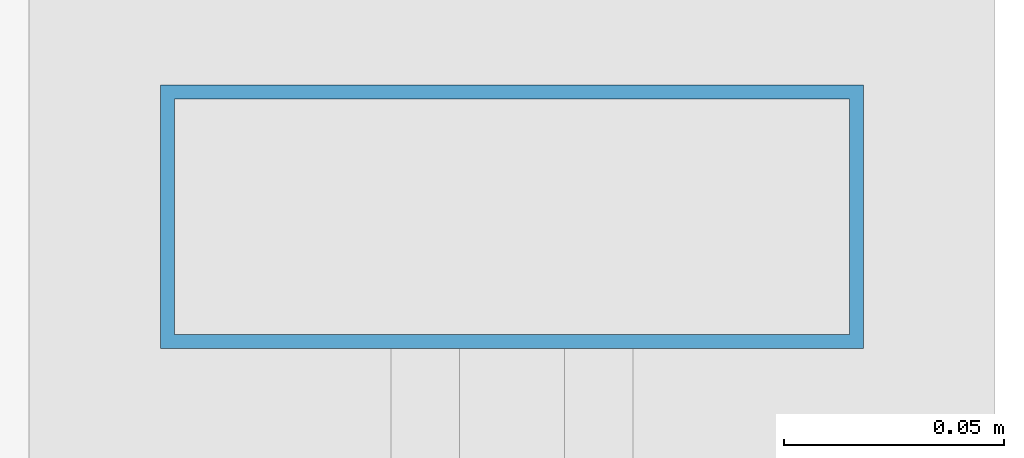
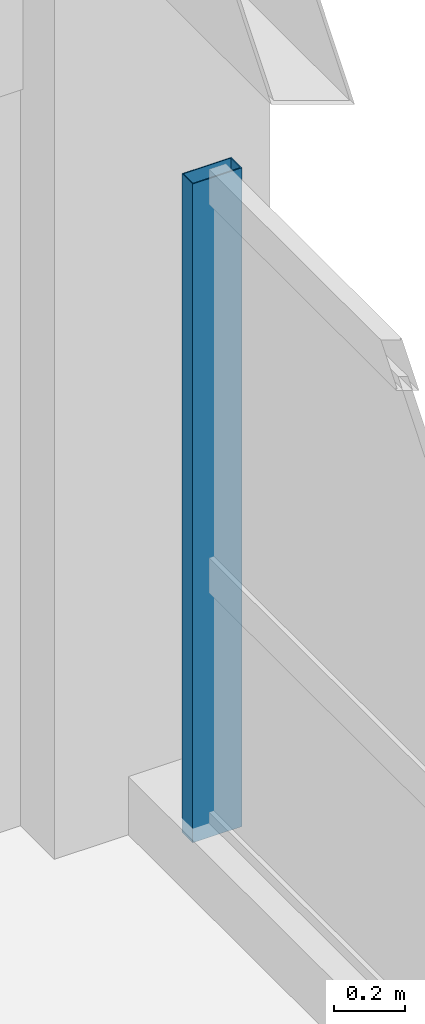
# One storey, part 17 of 22: 1 member, 1 element without a shape of its own.
"""IFC4 building model written with IfcOpenShell, lengths in metres."""

import ifcopenshell
import ifcopenshell.guid

model = None  # the IFC model being written
_history = None  # IfcOwnerHistory: only IFC2X3 demands one
_inside = {}  # id of a spatial element -> (the spatial element, [elements in it])
_under = {}  # id of a project, library or spatial element -> (it, [spatial elements below it])
_declared = {}  # id of a project -> (the project, [libraries it declares])
_typed = {}  # id of a type object -> (the type object, [elements of that type])
_made_of = {}  # id of a material, layer set ... -> (it, [elements and type objects made of it])


def new_model(schema):
    """Start an empty IFC model of exactly this schema.

    Asked for "IFC4X3", IfcOpenShell would pick the latest addendum, in which some entities
    have other attributes; the version numbers below select the first issue.
    IFC2X3 requires an IfcOwnerHistory on every rooted entity: one is made here for all.
    """
    global model, _history
    if schema == "IFC4X3":
        model = ifcopenshell.file(schema_version=(4, 3, 0, 0))
    else:
        model = ifcopenshell.file(schema=schema)
    _inside.clear()
    _under.clear()
    _declared.clear()
    _typed.clear()
    _made_of.clear()
    _history = None
    if model.schema == "IFC2X3":
        org = make("IfcOrganization", Name="unknown")
        user = make(
            "IfcPersonAndOrganization",
            ThePerson=make("IfcPerson", FamilyName="unknown"),
            TheOrganization=org,
        )
        app = make(
            "IfcApplication",
            ApplicationDeveloper=org,
            Version="unknown",
            ApplicationFullName="unknown",
            ApplicationIdentifier="unknown",
        )
        _history = make(
            "IfcOwnerHistory",
            OwningUser=user,
            OwningApplication=app,
            ChangeAction="ADDED",
            CreationDate=0,
        )
    return model


def make(cls, **values):
    """One entity of the class cls with the attributes given. An attribute that is None is left unset."""
    return model.create_entity(
        cls, **{name: value for name, value in values.items() if value is not None}
    )


def rooted(cls, **values):
    """An entity with a GlobalId (a new one), such as an element, a storey or a relation."""
    return make(cls, GlobalId=ifcopenshell.guid.new(), OwnerHistory=_history, **values)


def si_unit(unit_type, name, prefix=None):
    """IfcSIUnit, for example si_unit("LENGTHUNIT", "METRE", prefix="MILLI")."""
    return make("IfcSIUnit", UnitType=unit_type, Prefix=prefix, Name=name)


def assignment(units):
    """IfcUnitAssignment: the units of a project."""
    return None if units is None else make("IfcUnitAssignment", Units=units)


def point(xyz):
    """IfcCartesianPoint."""
    return None if xyz is None else make("IfcCartesianPoint", Coordinates=xyz)


def direction(xyz):
    """IfcDirection."""
    return None if xyz is None else make("IfcDirection", DirectionRatios=xyz)


def frame(location, z_axis=None, x_axis=None):
    """IfcAxis2Placement3D, a coordinate frame: its origin and axes. An axis left out is left unset."""
    return make(
        "IfcAxis2Placement3D",
        Location=point(location),
        Axis=direction(z_axis),
        RefDirection=direction(x_axis),
    )


def frame_2d(location, x_axis=None):
    """IfcAxis2Placement2D, a coordinate frame in the plane: its origin and x axis."""
    return make(
        "IfcAxis2Placement2D", Location=point(location), RefDirection=direction(x_axis)
    )


def origin():
    """The frame at (0, 0, 0) with its axes left unset."""
    return frame((0.0, 0.0, 0.0))


def origin_2d():
    """The frame at (0, 0) in the plane with its x axis left unset."""
    return frame_2d((0.0, 0.0))


def place(relative_to, where):
    """IfcLocalPlacement: puts the frame where relative to a parent placement (None: the world)."""
    return make(
        "IfcLocalPlacement", PlacementRelTo=relative_to, RelativePlacement=where
    )


def context(
    kind, dimensions, precision=None, world=None, true_north=None, identifier=None
):
    """IfcGeometricRepresentationContext, for example the 3D "Model" context."""
    return make(
        "IfcGeometricRepresentationContext",
        ContextIdentifier=identifier,
        ContextType=kind,
        CoordinateSpaceDimension=dimensions,
        Precision=precision,
        WorldCoordinateSystem=world,
        TrueNorth=true_north,
    )


def subcontext(parent, identifier, kind, view, scale=None):
    """IfcGeometricRepresentationSubContext, for example "Body" below "Model"."""
    return make(
        "IfcGeometricRepresentationSubContext",
        ContextIdentifier=identifier,
        ContextType=kind,
        ParentContext=parent,
        TargetScale=scale,
        TargetView=view,
    )


def project(units=None, contexts=None):
    """IfcProject with its units and contexts."""
    return rooted(
        "IfcProject",
        Name="project",
        RepresentationContexts=contexts,
        UnitsInContext=assignment(units),
    )


def spatial(cls, under=None, at=None, **own):
    """A site, building, storey or space (cls), placed at a placement, below another one or the project."""
    s = rooted(cls, ObjectPlacement=at, **own)
    if under is not None:
        _under.setdefault(under.id(), (under, []))[1].append(s)
    return s


def profile(cls, at=None, kind="AREA", **sizes):
    """A parametric profile (cls). Its sizes go by their IFC names, for example OverallWidth=200.0."""
    return make(cls, ProfileType=kind, Position=at, **sizes)


def hollow_rectangle(**sizes):
    """IfcRectangleHollowProfileDef."""
    return profile("IfcRectangleHollowProfileDef", **sizes)


def extrude(swept, where, along, depth):
    """IfcExtrudedAreaSolid: the profile swept, set in the frame where, extruded along a direction by depth."""
    return make(
        "IfcExtrudedAreaSolid",
        SweptArea=swept,
        Position=where,
        ExtrudedDirection=direction(along),
        Depth=depth,
    )


def shape(context_of_items, identifier, shape_type, items):
    """IfcShapeRepresentation: the items that make up one representation, for example the "Body"."""
    return make(
        "IfcShapeRepresentation",
        ContextOfItems=context_of_items,
        RepresentationIdentifier=identifier,
        RepresentationType=shape_type,
        Items=items,
    )


def material(Name=None, Category=None):
    """IfcMaterial."""
    return make("IfcMaterial", Name=Name, Category=Category)


def material_profile(
    of_material, cross_section, Name=None, Category=None, Priority=None
):
    """IfcMaterialProfile: a cross section and its material."""
    return make(
        "IfcMaterialProfile",
        Name=Name,
        Material=of_material,
        Profile=cross_section,
        Priority=Priority,
        Category=Category,
    )


def profile_set(profiles, Name=None, composite=None):
    """IfcMaterialProfileSet."""
    return make(
        "IfcMaterialProfileSet",
        Name=Name,
        MaterialProfiles=profiles,
        CompositeProfile=composite,
    )


def made_of(thing, what):
    """Note that an element or type object is made of a material, layer set ...; save() writes the relation."""
    if what is not None:
        _made_of.setdefault(what.id(), (what, []))[1].append(thing)
    return thing


def type_object(cls, material=None, **own):
    """A type object (cls), such as IfcWallType, which elements share."""
    return made_of(rooted(cls, **own), material)


def element(
    cls,
    number,
    at=None,
    inside=None,
    cuts=None,
    type_object=None,
    material=None,
    context=None,
    identifier="Body",
    shape_type=None,
    held_by="IfcProductDefinitionShape",
    body=None,
    shapes=None,
    **own,
):
    """One element of the class cls, such as IfcWall. Its Tag is "e" and its number.

    at: its placement. inside: the storey or other place that contains it. cuts: it is an
    opening in that element (IfcRelVoidsElement). A single representation is given by context,
    identifier, shape_type and body (its items); several are given by shapes. held_by: the class
    of the entity that holds the representations. save() writes the other relations.
    """
    e = rooted(cls, Tag="e%d" % number, ObjectPlacement=at, **own)
    if body is not None:
        shapes = [shape(context, identifier, shape_type, body)]
    if shapes is not None:
        e.Representation = make(held_by, Representations=shapes)
    if inside is not None:
        _inside.setdefault(inside.id(), (inside, []))[1].append(e)
    if cuts is not None:
        rooted(
            "IfcRelVoidsElement", RelatingBuildingElement=cuts, RelatedOpeningElement=e
        )
    if type_object is not None:
        _typed.setdefault(type_object.id(), (type_object, []))[1].append(e)
    return made_of(e, material)


def aggregate(whole, parts):
    """IfcRelAggregates: a whole, such as a stair, and the parts it consists of."""
    return rooted("IfcRelAggregates", RelatingObject=whole, RelatedObjects=parts)


def save(model, path):
    """Write the relations noted so far, then the file.

    IfcRelAggregates (storeys below a building ...), IfcRelContainedInSpatialStructure (elements
    in a storey), IfcRelDefinesByType, IfcRelAssociatesMaterial and IfcRelDeclares: one each for
    every whole, place, type object, material and project.
    """
    for whole, parts in _under.values():
        aggregate(whole, parts)
    for where, things in _inside.values():
        rooted(
            "IfcRelContainedInSpatialStructure",
            RelatedElements=things,
            RelatingStructure=where,
        )
    for kind, things in _typed.values():
        rooted("IfcRelDefinesByType", RelatedObjects=things, RelatingType=kind)
    for what, things in _made_of.values():
        rooted("IfcRelAssociatesMaterial", RelatedObjects=things, RelatingMaterial=what)
    for by, libraries in _declared.values():
        rooted("IfcRelDeclares", RelatingContext=by, RelatedDefinitions=libraries)
    model.write(path)


model = new_model("IFC4")

# Units and contexts
model_context = context("Model", 3, precision=1e-05, world=origin(), true_north=direction((0.0, 1.0)))
body_context = subcontext(model_context, "Body", "Model", "MODEL_VIEW")
ifc_project = project(units=[si_unit("LENGTHUNIT", "METRE"), si_unit("AREAUNIT", "SQUARE_METRE"), si_unit("VOLUMEUNIT", "CUBIC_METRE"), si_unit("PLANEANGLEUNIT", "RADIAN"), si_unit("MASSUNIT", "GRAM", prefix="KILO")], contexts=[model_context])

# Site, building, storey
site_placement = place(None, origin())
site = spatial("IfcSite", under=ifc_project, at=site_placement, CompositionType="ELEMENT")
building_placement = place(site_placement, origin())
building = spatial("IfcBuilding", under=site, at=building_placement, Name="Kaldorvane Square Convention Centre", CompositionType="ELEMENT")
storey_placement = place(building_placement, frame((0.0, 0.0, 63.600006103515625)))
storey = spatial("IfcBuildingStorey", under=building, at=storey_placement, Name="L15", CompositionType="ELEMENT", Elevation=63.600006103515625)

# Curtain wall, member
ifc_material = material(Name="Anodized Aluminum and Low-E Insulated Glazing", Category="aluminium")
curtain_wall_type = type_object("IfcCurtainWallType", Name="CW-UNI-HTL-A", PredefinedType="USERDEFINED", material=ifc_material)
curtain_wall_placement = place(storey_placement, origin())
curtain_wall = element("IfcCurtainWall", 1, at=curtain_wall_placement, inside=storey, type_object=curtain_wall_type, Name="Curtain Wall CW-10 (L15)", ObjectType="UNITISED GLAZING", PredefinedType="USERDEFINED")
ifc_material_profile = material_profile(ifc_material, hollow_rectangle(XDim=0.05999755859375, YDim=0.160003662109375, WallThickness=0.003204345703125, at=origin_2d()), Name="CWM-160X60")
ifc_profile_set = profile_set([ifc_material_profile], Name="Anodized Aluminum and Low-E Insulated Glazing")
member_type = type_object("IfcMemberType", Name="CW-MUL-160", PredefinedType="MULLION", material=ifc_profile_set)
member_placement = place(storey_placement, frame((78.0, 116.3699951171875, 0.149993896484375), z_axis=(0.0, 0.0, 1.0), x_axis=(0.0, 1.0, 0.0)))
member = element("IfcMember", 2, at=member_placement, type_object=member_type, Name="CW-10 mullion 4", PredefinedType="MULLION", context=body_context, shape_type="SweptSolid", body=[
    extrude(hollow_rectangle(XDim=0.05999755859375, YDim=0.160003662109375, WallThickness=0.003204345703125, at=origin_2d()), origin(), (0.0, 0.0, 1.0), 2.2599945068359375),
])
aggregate(curtain_wall, [member])

save(model, "model.ifc")
